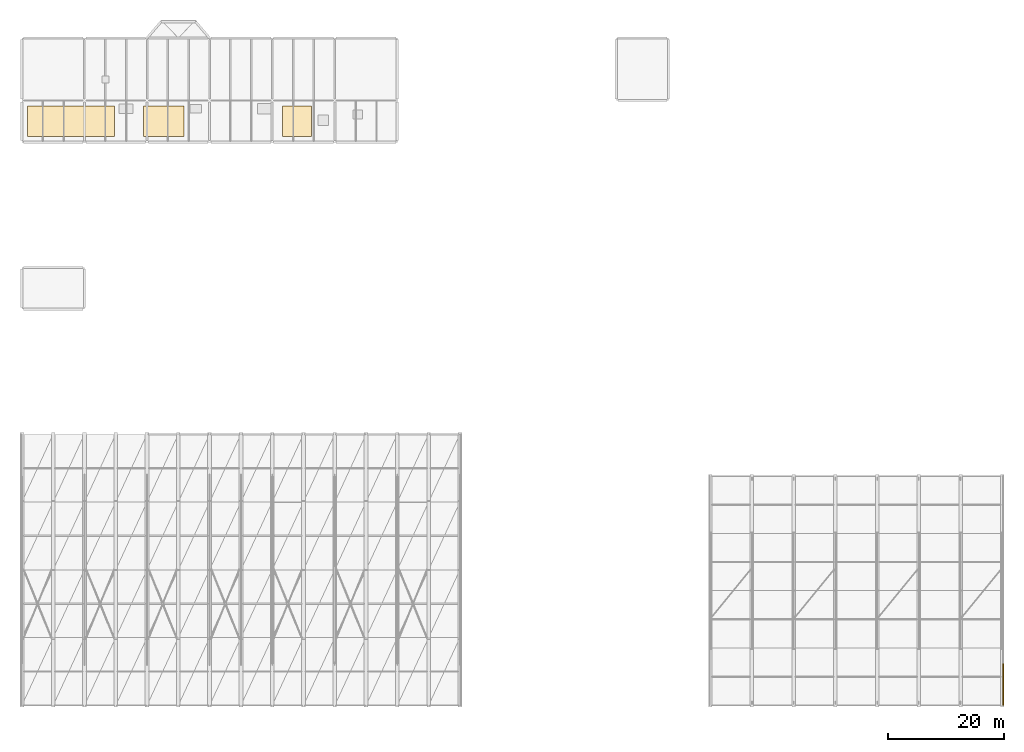
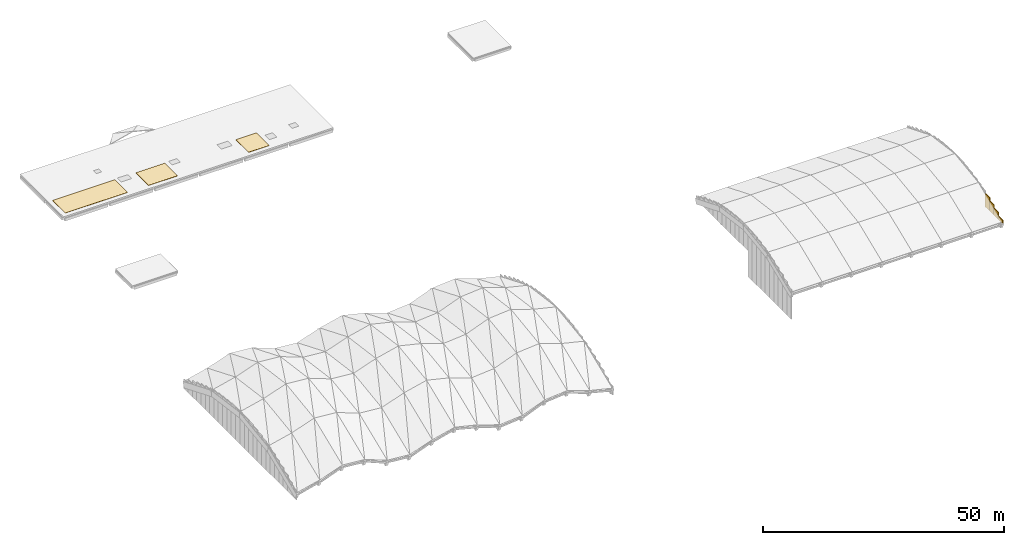
# One storey, part 21 of 22: 7 coverings.
"""IFC4 building model written with IfcOpenShell, lengths in metres."""

from ifc_helpers import new_model, si_unit, direction, frame, origin, origin_2d, place, context, subcontext, project, spatial, polyline, rectangle, outline, extrude, material, layer, layer_set, type_object, element, save


model = new_model("IFC4")

# Units and contexts
model_context = context("Model", 3, precision=1e-05, world=origin(), true_north=direction((0.0, 1.0)))
body_context = subcontext(model_context, "Body", "Model", "MODEL_VIEW")
ifc_project = project(units=[si_unit("LENGTHUNIT", "METRE"), si_unit("AREAUNIT", "SQUARE_METRE"), si_unit("VOLUMEUNIT", "CUBIC_METRE"), si_unit("PLANEANGLEUNIT", "RADIAN"), si_unit("MASSUNIT", "GRAM", prefix="KILO")], contexts=[model_context])

# Site, building, storey
site_placement = place(None, origin())
site = spatial("IfcSite", under=ifc_project, at=site_placement, CompositionType="ELEMENT")
building_placement = place(site_placement, origin())
building = spatial("IfcBuilding", under=site, at=building_placement, Name="Lusvemor Sports Hall", CompositionType="ELEMENT")
storey_placement = place(building_placement, frame((0.0, 0.0, 23.39990234375)))
storey = spatial("IfcBuildingStorey", under=building, at=storey_placement, Name="Roof", CompositionType="ELEMENT", Elevation=23.39990234375)

# Coverings
ifc_material_1 = material(Name="Emerald polychrome glazed ceramic cladding on Concrete C40/50 backing", Category="concrete")
ifc_layer_1 = layer(ifc_material_1, 0.0458984375)
ifc_layer_set_1 = layer_set([ifc_layer_1], Name="Emerald polychrome glazed ceramic cladding on Concrete C40/50 backing")
covering_type_1 = type_object("IfcCoveringType", Name="CLAD_WAVE_EMERALD", PredefinedType="CLADDING", material=ifc_layer_set_1)
covering_1_placement = place(storey_placement, frame((169.360107421875, 0.89990234375, -2.0498046875), z_axis=(0.0, 0.0, 1.0), x_axis=(1.0, 0.0, 0.0)))
element("IfcCovering", 1, at=covering_1_placement, inside=storey, type_object=covering_type_1, Name="East Vault Gable Patterned Tympanum E-01", PredefinedType="CLADDING", context=body_context, shape_type="SweptSolid", body=[
    extrude(rectangle(XDim=0.199951171875, YDim=1.81201171875, at=origin_2d()), origin(), (0.0, 0.0, 1.0), 0.909912109375),
])
covering_2_placement = place(storey_placement, frame((169.360107421875, 4.5, -2.0498046875), z_axis=(0.0, 0.0, 1.0), x_axis=(1.0, 0.0, 0.0)))
element("IfcCovering", 2, at=covering_2_placement, inside=storey, type_object=covering_type_1, Name="East Vault Gable Patterned Tympanum E-03", PredefinedType="CLADDING", context=body_context, shape_type="SweptSolid", body=[
    extrude(rectangle(XDim=0.199951171875, YDim=1.81201171875, at=origin_2d()), origin(), (0.0, 0.0, 1.0), 2.605712890625),
])
ifc_material_2 = material(Name="Warm terracotta Art Nouveau ceramic cladding on Concrete C40/50 backing", Category="masonry")
ifc_layer_2 = layer(ifc_material_2, 0.0380859375)
ifc_layer_set_2 = layer_set([ifc_layer_2], Name="Warm terracotta Art Nouveau ceramic cladding on Concrete C40/50 backing")
covering_type_2 = type_object("IfcCoveringType", Name="CLAD_WAVE_OCHRE", PredefinedType="CLADDING", material=ifc_layer_set_2)
covering_3_placement = place(storey_placement, frame((169.360107421875, 2.699951171875, -2.0498046875), z_axis=(0.0, 0.0, 1.0), x_axis=(1.0, 0.0, 0.0)))
element("IfcCovering", 3, at=covering_3_placement, inside=storey, type_object=covering_type_2, Name="East Vault Gable Patterned Tympanum E-02", PredefinedType="CLADDING", context=body_context, shape_type="SweptSolid", body=[
    extrude(rectangle(XDim=0.199951171875, YDim=1.81201171875, at=origin_2d()), origin(), (0.0, 0.0, 1.0), 1.80224609375),
])
covering_4_placement = place(storey_placement, frame((169.360107421875, 6.300048828125, -2.0498046875), z_axis=(0.0, 0.0, 1.0), x_axis=(1.0, 0.0, 0.0)))
element("IfcCovering", 4, at=covering_4_placement, inside=storey, type_object=covering_type_2, Name="East Vault Gable Patterned Tympanum E-04", PredefinedType="CLADDING", context=body_context, shape_type="SweptSolid", body=[
    extrude(rectangle(XDim=0.199951171875, YDim=1.81201171875, at=origin_2d()), origin(), (0.0, 0.0, 1.0), 3.319580078125),
])
ifc_material_3 = material(Name="Insulated TPO and standing-seam zinc roofing membrane")
ifc_layer_3 = layer(ifc_material_3, 0.052001953125)
ifc_layer_set_3 = layer_set([ifc_layer_3], Name="Insulated TPO and standing-seam zinc roofing membrane")
covering_type_3 = type_object("IfcCoveringType", Name="COV_ROOF_ZINC", PredefinedType="ROOFING", material=ifc_layer_set_3)
covering_5_placement = place(storey_placement, origin())
element("IfcCovering", 5, at=covering_5_placement, inside=storey, type_object=covering_type_3, Name="Standing-Seam Roof Membrane 1", PredefinedType="ROOFING", context=body_context, shape_type="SweptSolid", body=[
    extrude(outline(polyline([(1.0, 98.199951171875), (16.0, 98.199951171875), (16.0, 103.5), (1.0, 103.5), (1.0, 98.199951171875)])), origin(), (0.0, 0.0, 1.0), 0.052001953125),
])
covering_6_placement = place(storey_placement, origin())
element("IfcCovering", 6, at=covering_6_placement, inside=storey, type_object=covering_type_3, Name="Standing-Seam Roof Membrane 2", PredefinedType="ROOFING", context=body_context, shape_type="SweptSolid", body=[
    extrude(outline(polyline([(21.0, 98.199951171875), (28.0, 98.199951171875), (28.0, 103.5), (21.0, 103.5), (21.0, 98.199951171875)])), origin(), (0.0, 0.0, 1.0), 0.052001953125),
])
covering_7_placement = place(storey_placement, origin())
element("IfcCovering", 7, at=covering_7_placement, inside=storey, type_object=covering_type_3, Name="Standing-Seam Roof Membrane 3", PredefinedType="ROOFING", context=body_context, shape_type="SweptSolid", body=[
    extrude(outline(polyline([(45.0, 98.199951171875), (50.0, 98.199951171875), (50.0, 103.5), (45.0, 103.5), (45.0, 98.199951171875)])), origin(), (0.0, 0.0, 1.0), 0.052001953125),
])

save(model, "model.ifc")
